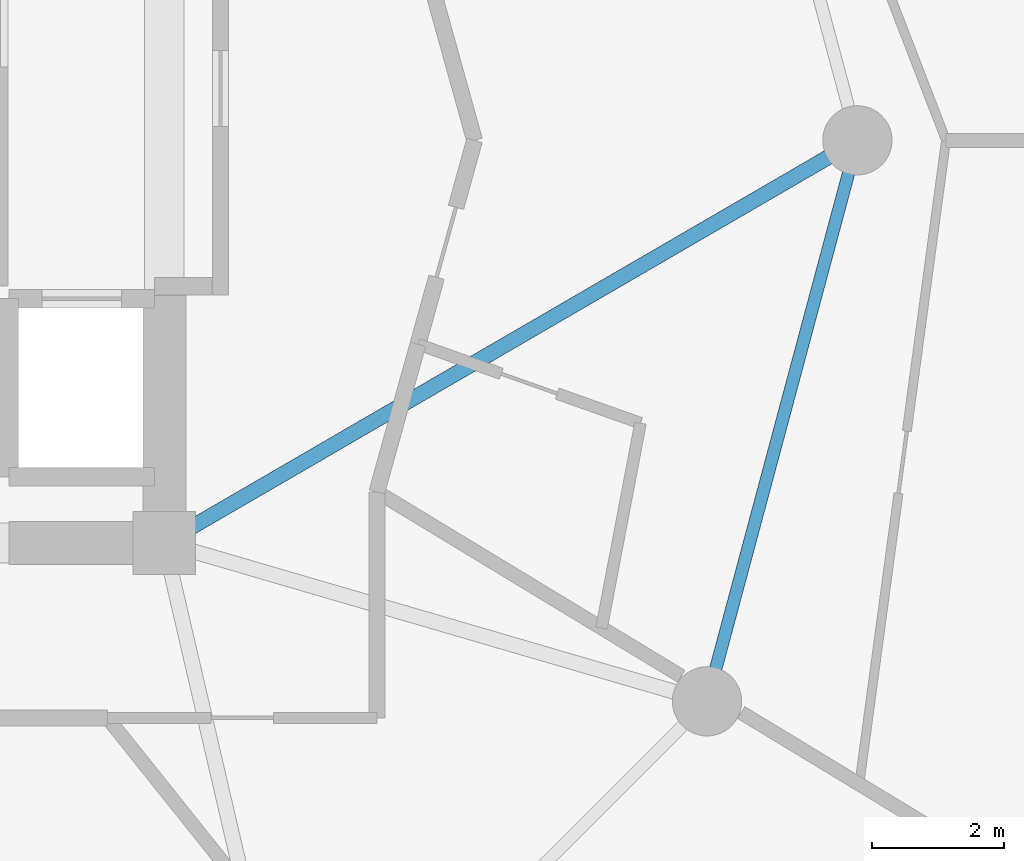
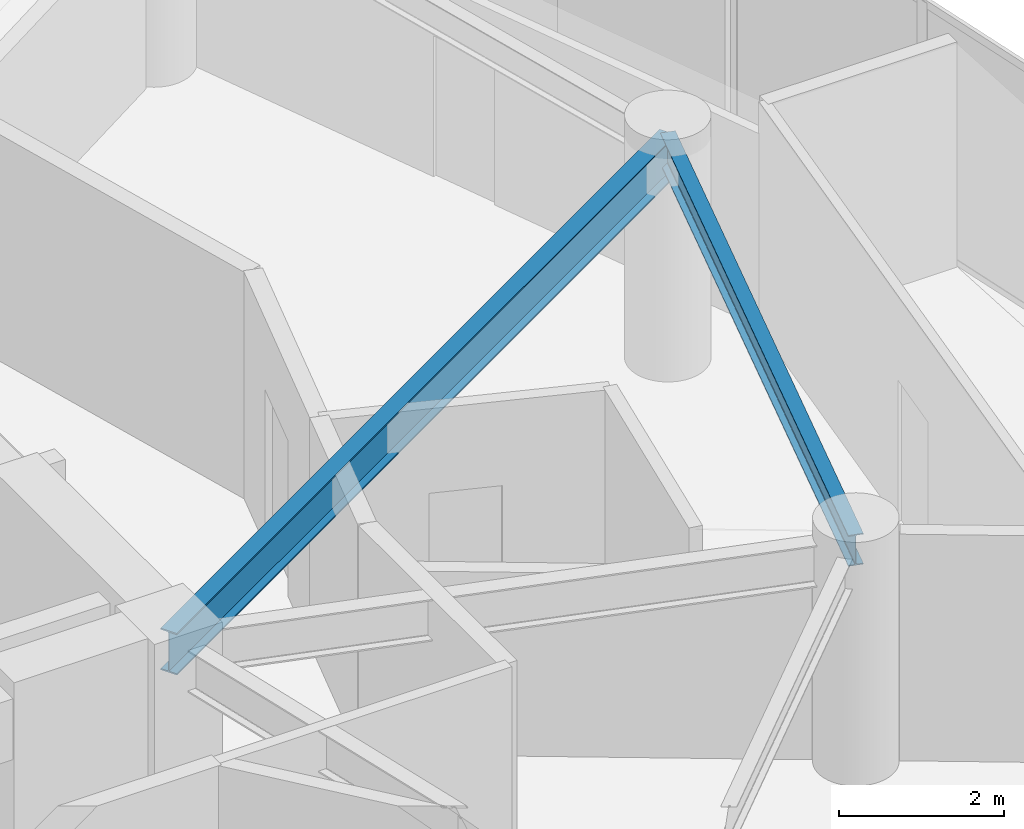
# One storey, part 12 of 25: 2 beams.
"""IFC4 building model written with IfcOpenShell, lengths in metres."""

from ifc_helpers import new_model, si_unit, direction, frame, origin, origin_2d, place, context, subcontext, project, spatial, i_section, extrude, material, material_profile, profile_set, type_object, element, save


model = new_model("IFC4")

# Units and contexts
model_context = context("Model", 3, precision=1e-05, world=origin(), true_north=direction((0.0, 1.0)))
body_context = subcontext(model_context, "Body", "Model", "MODEL_VIEW")
ifc_project = project(units=[si_unit("LENGTHUNIT", "METRE"), si_unit("AREAUNIT", "SQUARE_METRE"), si_unit("VOLUMEUNIT", "CUBIC_METRE"), si_unit("PLANEANGLEUNIT", "RADIAN"), si_unit("MASSUNIT", "GRAM", prefix="KILO")], contexts=[model_context])

# Site, building, storey
site_placement = place(None, origin())
site = spatial("IfcSite", under=ifc_project, at=site_placement, CompositionType="ELEMENT")
building_placement = place(site_placement, origin())
building = spatial("IfcBuilding", under=site, at=building_placement, Name="Solvirekh Grand Hotel", CompositionType="ELEMENT")
storey_placement = place(building_placement, frame((0.0, 0.0, 127.800048828125)))
storey = spatial("IfcBuildingStorey", under=building, at=storey_placement, Name="L32", CompositionType="ELEMENT", Elevation=127.800048828125)

# Beams
ifc_material = material(Name="Steel S355", Category="steel")
ifc_material_profile_1 = material_profile(ifc_material, i_section(OverallWidth=0.22802734375, OverallDepth=0.616943359375, WebThickness=0.012939453125, FlangeThickness=0.02001953125, FilletRadius=0.014892578125, at=origin_2d()), Name="W610X140")
ifc_profile_set_1 = profile_set([ifc_material_profile_1], Name="Steel S355")
beam_type_1 = type_object("IfcBeamType", Name="Beam_Radial_W610", PredefinedType="BEAM", material=ifc_profile_set_1)
beam_1_placement = place(storey_placement, frame((6.5, -6.10009765625, 3.041015625), z_axis=(0.864670076815, 0.50234018181, 0.0), x_axis=(-0.50234018181, 0.864670076815, 0.0)))
element("IfcBeam", 1, at=beam_1_placement, inside=storey, type_object=beam_type_1, Name="L32 radial floor beam R01", PredefinedType="BEAM", context=body_context, shape_type="SweptSolid", body=[
    extrude(i_section(OverallWidth=0.22802734375, OverallDepth=0.616943359375, WebThickness=0.012939453125, FlangeThickness=0.02001953125, FilletRadius=0.014892578125, at=origin_2d()), origin(), (0.0, 0.0, 1.0), 12.143310546875),
])
ifc_material_profile_2 = material_profile(ifc_material, i_section(OverallWidth=0.18994140625, OverallDepth=0.45703125, WebThickness=0.009033203125, FlangeThickness=0.013916015625, FilletRadius=0.012939453125, at=origin_2d()), Name="W460X74")
ifc_profile_set_2 = profile_set([ifc_material_profile_2], Name="Steel S355")
beam_type_2 = type_object("IfcBeamType", Name="Spandrel_Ring_W460", PredefinedType="SPANDREL", material=ifc_profile_set_2)
beam_2_placement = place(storey_placement, frame((14.721923828125, -8.5, 3.1220703125), z_axis=(0.258872908946, 0.965911391906, 0.0), x_axis=(-0.965911391906, 0.258872908946, 0.0)))
element("IfcBeam", 2, at=beam_2_placement, inside=storey, type_object=beam_type_2, Name="L32 perimeter spandrel beam 12", PredefinedType="SPANDREL", context=body_context, shape_type="SweptSolid", body=[
    extrude(i_section(OverallWidth=0.18994140625, OverallDepth=0.45703125, WebThickness=0.009033203125, FlangeThickness=0.013916015625, FilletRadius=0.012939453125, at=origin_2d()), origin(), (0.0, 0.0, 1.0), 8.800048828125),
])

save(model, "model.ifc")
